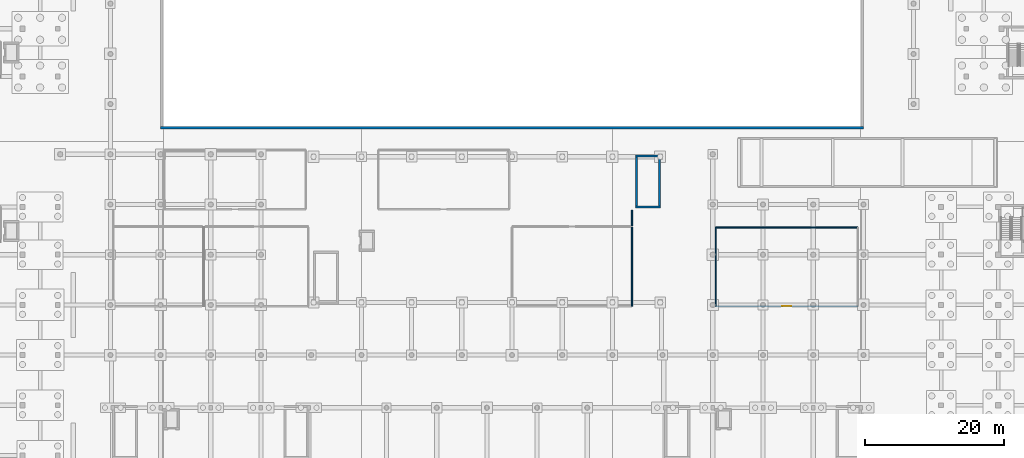
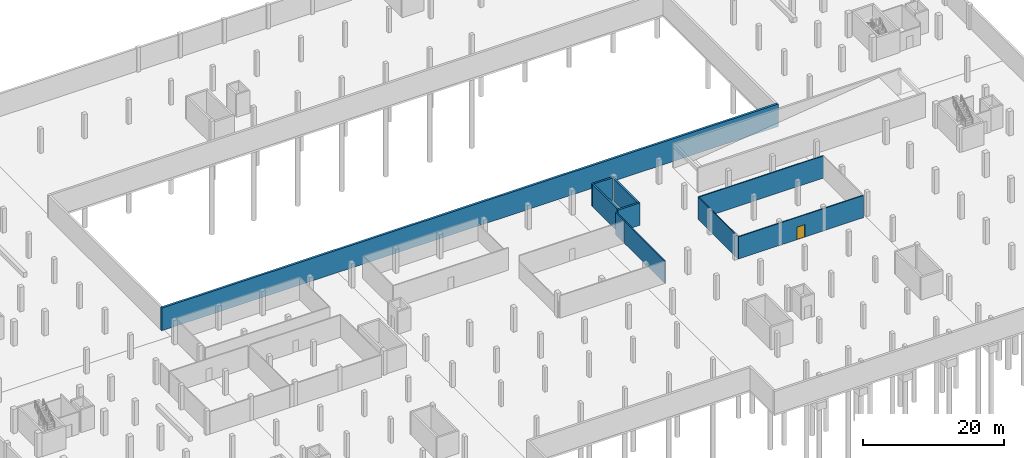
# One storey, part 21 of 36: 10 walls, 1 door, 1 opening.
"""IFC4 building model written with IfcOpenShell, lengths in metres."""

from ifc_helpers import new_model, si_unit, derived_unit, direction, frame, frame_2d, origin, place, context, subcontext, project, spatial, rectangle, extrude, material, layer, layer_set, type_object, element, fill, save


model = new_model("IFC4")

# Units and contexts
model_context = context("Model", 3, precision=1e-05, world=origin(), true_north=direction((0.0, 1.0)))
body_context = subcontext(model_context, "Body", "Model", "MODEL_VIEW")
ifc_project = project(units=[si_unit("LENGTHUNIT", "METRE"), si_unit("AREAUNIT", "SQUARE_METRE"), si_unit("VOLUMEUNIT", "CUBIC_METRE"), si_unit("PLANEANGLEUNIT", "RADIAN"), si_unit("MASSUNIT", "GRAM", prefix="KILO"), derived_unit("THERMALTRANSMITTANCEUNIT", [(si_unit("MASSUNIT", "GRAM", prefix="KILO"), 1), (si_unit("TIMEUNIT", "SECOND"), -3), (si_unit("THERMODYNAMICTEMPERATUREUNIT", "KELVIN"), -1)])], contexts=[model_context])

# Site, building, storey
site_placement = place(None, origin())
site = spatial("IfcSite", under=ifc_project, at=site_placement, CompositionType="ELEMENT")
building_placement = place(site_placement, origin())
building = spatial("IfcBuilding", under=site, at=building_placement, Name="Ochrekiln Boulevard Commons", CompositionType="ELEMENT")
storey_placement = place(building_placement, frame((0.0, 0.0, -4.199951171875)))
storey = spatial("IfcBuildingStorey", under=building, at=storey_placement, Name="B1", CompositionType="ELEMENT", Elevation=-4.199951171875)

# Walls
ifc_material_1 = material(Name="Concrete C35/45", Category="concrete")
ifc_layer_1 = layer(ifc_material_1, 0.35009765625)
ifc_layer_set_1 = layer_set([ifc_layer_1], Name="Concrete C35/45")
wall_type_1 = type_object("IfcWallType", Name="WL-B1-RET-350", PredefinedType="SOLIDWALL", material=ifc_layer_set_1)
wall_1_placement = place(storey_placement, frame((36.0, 61.375, 0.0), z_axis=(0.0, 0.0, 1.0), x_axis=(1.0, 0.0, 0.0)))
element("IfcWall", 1, at=wall_1_placement, inside=storey, type_object=wall_type_1, Name="B1 Courtyard Soil-Core Retaining S Exterior Wall", PredefinedType="SOLIDWALL", context=body_context, shape_type="SweptSolid", body=[
    extrude(rectangle(XDim=100.800048828125, YDim=0.35009765625, at=frame_2d((50.39990234375, 0.0))), origin(), (0.0, 0.0, 1.0), 3.919921875),
])
ifc_material_2 = material(Name="Fire-rated Type X gypsum board on steel studs", Category="steel")
ifc_layer_2 = layer(ifc_material_2, 0.169921875)
ifc_layer_set_2 = layer_set([ifc_layer_2], Name="Fire-rated Type X gypsum board on steel studs")
wall_type_2 = type_object("IfcWallType", Name="WL-PT-CIV-170", PredefinedType="PARTITIONING", material=ifc_layer_set_2)
wall_2_placement = place(storey_placement, frame((103.60009765625, 47.3330078125, 0.0), z_axis=(0.0, 0.0, 1.0), x_axis=(0.0, 1.0, 0.0)))
element("IfcWall", 2, at=wall_2_placement, inside=storey, type_object=wall_type_2, Name="B1 Interior Wall W-PV170", PredefinedType="PARTITIONING", context=body_context, shape_type="SweptSolid", body=[
    extrude(rectangle(XDim=2.26708984375, YDim=0.169921875, at=frame_2d((1.133544921875, 0.0))), origin(), (0.0, 0.0, 1.0), 3.83984375),
])
wall_3_placement = place(storey_placement, frame((103.60009765625, 35.800048828125, 0.0), z_axis=(0.0, 0.0, 1.0), x_axis=(0.0, 1.0, 0.0)))
element("IfcWall", 3, at=wall_3_placement, inside=storey, type_object=wall_type_2, Name="B1 Interior Wall W-PV170", PredefinedType="PARTITIONING", context=body_context, shape_type="SweptSolid", body=[
    extrude(rectangle(XDim=11.366943359375, YDim=0.169921875, at=frame_2d((5.68359375, 0.0))), origin(), (0.0, 0.0, 1.0), 3.83984375),
])

# Wall, opening, door
wall_4_placement = place(storey_placement, frame((115.60009765625, 35.800048828125, 0.0), z_axis=(0.0, 0.0, 1.0), x_axis=(1.0, 0.0, 0.0)))
wall_4 = element("IfcWall", 4, at=wall_4_placement, inside=storey, type_object=wall_type_2, Name="B1 Interior Wall W-PV170", PredefinedType="PARTITIONING", context=body_context, shape_type="SweptSolid", body=[
    extrude(rectangle(XDim=20.39990234375, YDim=0.169921875, at=frame_2d((10.199951171875, 0.0))), origin(), (0.0, 0.0, 1.0), 3.83984375),
])
opening_placement = place(wall_4_placement, frame((9.574951171875, 0.0, 0.0)))
opening = element("IfcOpeningElement", 5, at=opening_placement, cuts=wall_4, Name="Opening D-B1-1390", PredefinedType="OPENING", context=body_context, shape_type="SweptSolid", body=[
    extrude(rectangle(XDim=1.25, YDim=2.159912109375, at=frame_2d((0.625, 1.080078125))), frame((0.0, 0.094970703125, 0.0), z_axis=(0.0, -1.0, 0.0), x_axis=(1.0, 0.0, 0.0)), (0.0, 0.0, 1.0), 0.18994140625),
])
ifc_material_3 = material(Name="Hollow metal fire-rated steel door assembly", Category="steel")
door_type = type_object("IfcDoorType", Name="DR-INT-STL-125", OperationType="NOTDEFINED", PredefinedType="DOOR", material=ifc_material_3)
door_placement = place(opening_placement, origin())
door = element("IfcDoor", 6, at=door_placement, inside=storey, type_object=door_type, Name="B1 Interior Door to Main Electrical Switchgear and Emergency Generator Room", OperationType="SINGLE_SWING_RIGHT", OverallHeight=2.159912109375, OverallWidth=1.25, PredefinedType="DOOR", context=body_context, shape_type="SweptSolid", body=[
    extrude(rectangle(XDim=1.25, YDim=2.159912109375, at=frame_2d((0.625, 1.080078125))), frame((0.0, 0.02490234375, 0.0), z_axis=(0.0, -1.0, 0.0), x_axis=(1.0, 0.0, 0.0)), (0.0, 0.0, 1.0), 0.050048828125),
])
fill(opening, door)

# Walls
wall_5_placement = place(storey_placement, frame((115.60009765625, 47.10009765625, 0.0), z_axis=(0.0, 0.0, 1.0), x_axis=(1.0, 0.0, 0.0)))
element("IfcWall", 7, at=wall_5_placement, inside=storey, type_object=wall_type_2, Name="B1 Interior Wall W-PV170", PredefinedType="PARTITIONING", context=body_context, shape_type="SweptSolid", body=[
    extrude(rectangle(XDim=20.39990234375, YDim=0.169921875, at=frame_2d((10.199951171875, 0.0))), origin(), (0.0, 0.0, 1.0), 3.83984375),
])
wall_6_placement = place(storey_placement, frame((115.60009765625, 35.800048828125, 0.0), z_axis=(0.0, 0.0, 1.0), x_axis=(0.0, 1.0, 0.0)))
element("IfcWall", 8, at=wall_6_placement, inside=storey, type_object=wall_type_2, Name="B1 Interior Wall W-PV170", PredefinedType="PARTITIONING", context=body_context, shape_type="SweptSolid", body=[
    extrude(rectangle(XDim=11.300048828125, YDim=0.169921875, at=frame_2d((5.64990234375, 0.0))), origin(), (0.0, 0.0, 1.0), 3.83984375),
])
ifc_material_4 = material(Name="Concrete C40/50", Category="concrete")
ifc_layer_3 = layer(ifc_material_4, 0.300048828125)
ifc_layer_set_3 = layer_set([ifc_layer_3], Name="Concrete C40/50")
wall_type_3 = type_object("IfcWallType", Name="WL-SH-300", PredefinedType="SHEAR", material=ifc_layer_set_3)
for number, where, z_axis, x_axis, name in (
    (9, (104.10009765625, 50.050048828125, 0.0), (0.0, 0.0, 1.0), (1.0, 0.0, 0.0), "Stair ST-H2 B1 Core Shear Wall S"),
    (10, (104.10009765625, 57.35009765625, 0.0), (0.0, 0.0, 1.0), (1.0, 0.0, 0.0), "Stair ST-H2 B1 Core Shear Wall N"),
):
    element("IfcWall", number, at=place(storey_placement, frame(where, z_axis=z_axis, x_axis=x_axis)), inside=storey, type_object=wall_type_3, Name=name, PredefinedType="SHEAR", context=body_context, shape_type="SweptSolid", body=[
        extrude(rectangle(XDim=3.599853515625, YDim=0.300048828125, at=frame_2d((1.7998046875, 0.0))), origin(), (0.0, 0.0, 1.0), 3.8798828125),
    ])
for number, where, z_axis, x_axis, name in (
    (11, (104.25, 50.199951171875, 0.0), (0.0, 0.0, 1.0), (0.0, 1.0, 0.0), "Stair ST-H2 B1 Core Shear Wall W"),
    (12, (107.550048828125, 50.199951171875, 0.0), (0.0, 0.0, 1.0), (0.0, 1.0, 0.0), "Stair ST-H2 B1 Core Shear Wall E"),
):
    element("IfcWall", number, at=place(storey_placement, frame(where, z_axis=z_axis, x_axis=x_axis)), inside=storey, type_object=wall_type_3, Name=name, PredefinedType="SHEAR", context=body_context, shape_type="SweptSolid", body=[
        extrude(rectangle(XDim=7.0, YDim=0.300048828125, at=frame_2d((3.5, 0.0))), origin(), (0.0, 0.0, 1.0), 3.8798828125),
    ])

save(model, "model.ifc")
